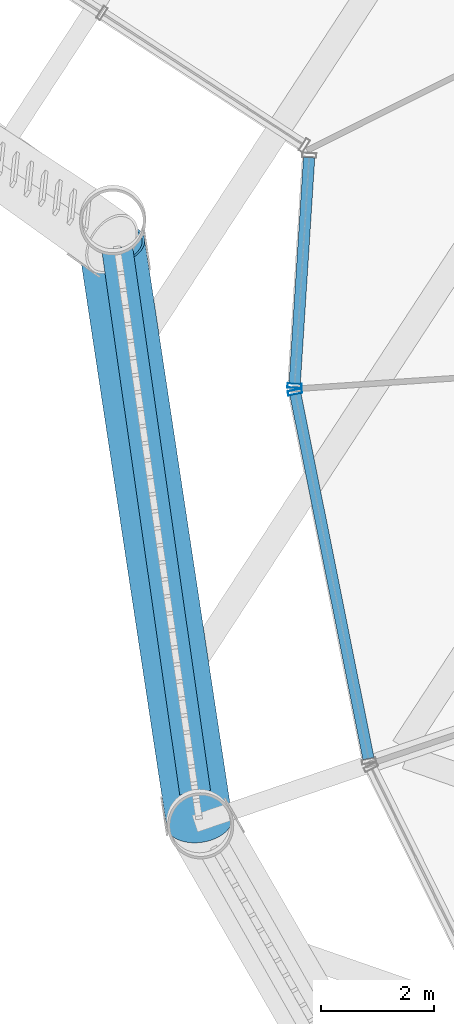
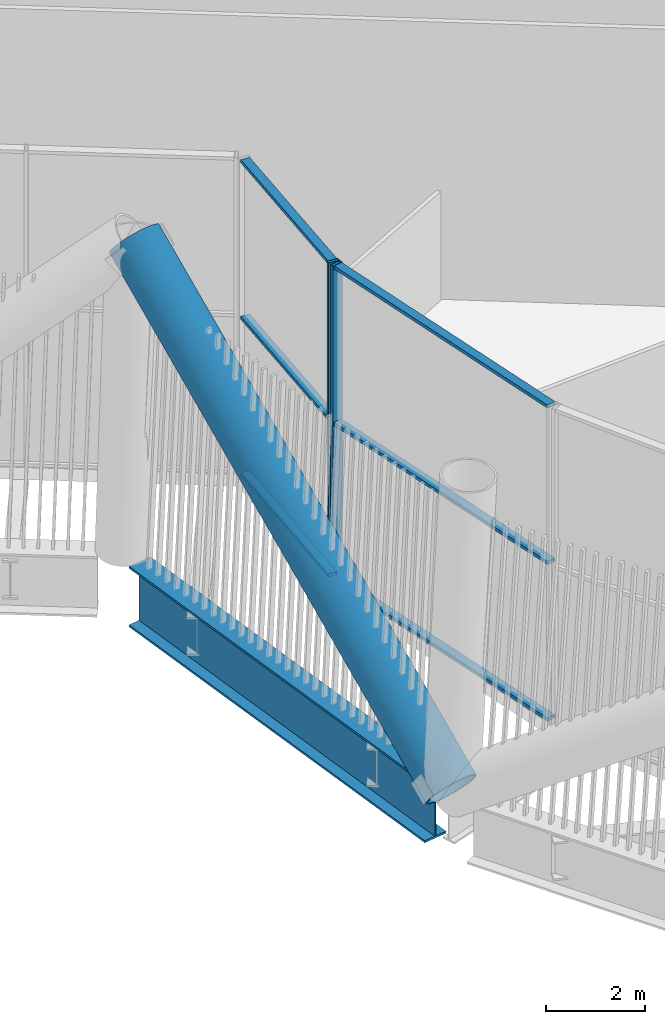
# One storey, part 13 of 63: 9 members, 1 beam, 2 elements without a shape of their own.
"""IFC4 building model written with IfcOpenShell, lengths in metres."""

from ifc_helpers import new_model, si_unit, direction, frame, origin, origin_2d, place, context, subcontext, project, spatial, hollow_rectangle, hollow_circle, i_section, extrude, material, layer, layer_set, material_profile, profile_set, type_object, element, aggregate, save


model = new_model("IFC4")

# Units and contexts
model_context = context("Model", 3, precision=1e-05, world=origin(), true_north=direction((0.0, 1.0)))
body_context = subcontext(model_context, "Body", "Model", "MODEL_VIEW")
ifc_project = project(units=[si_unit("LENGTHUNIT", "METRE"), si_unit("AREAUNIT", "SQUARE_METRE"), si_unit("VOLUMEUNIT", "CUBIC_METRE"), si_unit("PLANEANGLEUNIT", "RADIAN"), si_unit("MASSUNIT", "GRAM", prefix="KILO")], contexts=[model_context])

# Site, building, storey
site_placement = place(None, origin())
site = spatial("IfcSite", under=ifc_project, at=site_placement, CompositionType="ELEMENT")
building_placement = place(site_placement, origin())
building = spatial("IfcBuilding", under=site, at=building_placement, Name="Tarsis Ring Headquarters", CompositionType="ELEMENT")
storey_placement = place(building_placement, frame((0.0, 0.0, 139.60009765625)))
storey = spatial("IfcBuildingStorey", under=building, at=storey_placement, Name="L32", CompositionType="ELEMENT", Elevation=139.60009765625)

# Curtain wall, member
ifc_material_1 = material(Name="Aluminium curtain wall", Category="aluminium")
ifc_layer = layer(ifc_material_1, 0.25)
ifc_layer_set = layer_set([ifc_layer], Name="Curtain wall sky lobby")
curtain_wall_type = type_object("IfcCurtainWallType", Name="Curtain wall sky lobby", PredefinedType="NOTDEFINED", material=ifc_layer_set)
curtain_wall_1_placement = place(storey_placement, origin())
curtain_wall_1 = element("IfcCurtainWall", 1, at=curtain_wall_1_placement, inside=storey, type_object=curtain_wall_type, Name="Curtain wall L32-02", PredefinedType="NOTDEFINED")
ifc_material_2 = material(Name="Aluminium mullion", Category="aluminium")
ifc_material_profile_1 = material_profile(ifc_material_2, hollow_rectangle(XDim=0.25, YDim=0.080078125, WallThickness=0.0048828125, at=origin_2d()), Name="RHS 250x80x5")
ifc_profile_set_1 = profile_set([ifc_material_profile_1], Name="Aluminium mullion")
member_type_1 = type_object("IfcMemberType", Name="Curtain wall mullion sky lobby RHS 250x80x5", PredefinedType="MULLION", material=ifc_profile_set_1)
member_1_placement = place(storey_placement, frame((-25.812255859375, -1.676513671875, 0.0), z_axis=(0.0, 0.0, 1.0), x_axis=(0.997960435556, -0.063835484378, 0.0)))
member_1 = element("IfcMember", 2, at=member_1_placement, type_object=member_type_1, Name="CW-S mullion 2", PredefinedType="MULLION", context=body_context, shape_type="SweptSolid", body=[
    extrude(hollow_rectangle(XDim=0.25, YDim=0.080078125, WallThickness=0.0048828125, at=origin_2d()), origin(), (0.0, 0.0, 1.0), 7.83984375),
])

curtain_wall_2_placement = place(storey_placement, origin())
curtain_wall_2 = element("IfcCurtainWall", 3, at=curtain_wall_2_placement, inside=storey, type_object=curtain_wall_type, Name="Curtain wall L32-03", PredefinedType="NOTDEFINED")
member_2_placement = place(storey_placement, frame((-25.8046875, -1.7880859375, 0.0), z_axis=(0.0, 0.0, 1.0), x_axis=(0.980477628068, 0.196630671205, 0.0)))
member_2 = element("IfcMember", 4, at=member_2_placement, type_object=member_type_1, Name="CW-S mullion 1", PredefinedType="MULLION", context=body_context, shape_type="SweptSolid", body=[
    extrude(hollow_rectangle(XDim=0.25, YDim=0.080078125, WallThickness=0.0048828125, at=origin_2d()), origin(), (0.0, 0.0, 1.0), 7.83984375),
])

# Member
ifc_material_3 = material(Name="Aluminium transom", Category="aluminium")
ifc_material_profile_2 = material_profile(ifc_material_3, hollow_rectangle(XDim=0.199951171875, YDim=0.080078125, WallThickness=0.0048828125, at=origin_2d()), Name="RHS 200x80x5")
ifc_profile_set_2 = profile_set([ifc_material_profile_2], Name="Aluminium transom")
member_type_2 = type_object("IfcMemberType", Name="Curtain wall transom sky lobby RHS 200x80x5", PredefinedType="USERDEFINED", material=ifc_profile_set_2)
member_3_placement = place(storey_placement, frame((-25.554443359375, 2.352783203125, 0.039794921875), z_axis=(-0.063823101762, -0.997961227544, 0.0), x_axis=(0.997961227544, -0.063823101762, 0.0)))
member_3 = element("IfcMember", 5, at=member_3_placement, type_object=member_type_2, Name="CW-S transom 1.1", ObjectType="TRANSOM", PredefinedType="USERDEFINED", context=body_context, shape_type="SweptSolid", body=[
    extrude(hollow_rectangle(XDim=0.199951171875, YDim=0.080078125, WallThickness=0.0048828125, at=origin_2d()), origin(), (0.0, 0.0, 1.0), 3.997314453125),
])

member_4_placement = place(storey_placement, frame((-25.554443359375, 2.352783203125, 3.919921875), z_axis=(-0.063823101762, -0.997961227544, 0.0), x_axis=(0.997961227544, -0.063823101762, 0.0)))
member_4 = element("IfcMember", 6, at=member_4_placement, type_object=member_type_2, Name="CW-S transom 1.2", ObjectType="TRANSOM", PredefinedType="USERDEFINED", context=body_context, shape_type="SweptSolid", body=[
    extrude(hollow_rectangle(XDim=0.199951171875, YDim=0.080078125, WallThickness=0.0048828125, at=origin_2d()), origin(), (0.0, 0.0, 1.0), 3.997314453125),
])

member_5_placement = place(storey_placement, frame((-25.554443359375, 2.352783203125, 7.7998046875), z_axis=(-0.063823101762, -0.997961227544, 0.0), x_axis=(0.997961227544, -0.063823101762, 0.0)))
member_5 = element("IfcMember", 7, at=member_5_placement, type_object=member_type_2, Name="CW-S transom 1.3", ObjectType="TRANSOM", PredefinedType="USERDEFINED", context=body_context, shape_type="SweptSolid", body=[
    extrude(hollow_rectangle(XDim=0.199951171875, YDim=0.080078125, WallThickness=0.0048828125, at=origin_2d()), origin(), (0.0, 0.0, 1.0), 3.997314453125),
])

aggregate(curtain_wall_1, [member_1, member_3, member_4, member_5])

member_6_placement = place(storey_placement, frame((-25.796875, -1.827392578125, 0.039794921875), z_axis=(0.196645608585, -0.980474632321, 0.0), x_axis=(0.980474632321, 0.196645608585, 0.0)))
member_6 = element("IfcMember", 8, at=member_6_placement, type_object=member_type_2, Name="CW-S transom 1.1", ObjectType="TRANSOM", PredefinedType="USERDEFINED", context=body_context, shape_type="SweptSolid", body=[
    extrude(hollow_rectangle(XDim=0.199951171875, YDim=0.080078125, WallThickness=0.0048828125, at=origin_2d()), origin(), (0.0, 0.0, 1.0), 6.5615234375),
])

member_7_placement = place(storey_placement, frame((-25.796875, -1.827392578125, 3.919921875), z_axis=(0.196645608585, -0.980474632321, 0.0), x_axis=(0.980474632321, 0.196645608585, 0.0)))
member_7 = element("IfcMember", 9, at=member_7_placement, type_object=member_type_2, Name="CW-S transom 1.2", ObjectType="TRANSOM", PredefinedType="USERDEFINED", context=body_context, shape_type="SweptSolid", body=[
    extrude(hollow_rectangle(XDim=0.199951171875, YDim=0.080078125, WallThickness=0.0048828125, at=origin_2d()), origin(), (0.0, 0.0, 1.0), 6.5615234375),
])

member_8_placement = place(storey_placement, frame((-25.796875, -1.827392578125, 7.7998046875), z_axis=(0.196645608585, -0.980474632321, 0.0), x_axis=(0.980474632321, 0.196645608585, 0.0)))
member_8 = element("IfcMember", 10, at=member_8_placement, type_object=member_type_2, Name="CW-S transom 1.3", ObjectType="TRANSOM", PredefinedType="USERDEFINED", context=body_context, shape_type="SweptSolid", body=[
    extrude(hollow_rectangle(XDim=0.199951171875, YDim=0.080078125, WallThickness=0.0048828125, at=origin_2d()), origin(), (0.0, 0.0, 1.0), 6.5615234375),
])

aggregate(curtain_wall_2, [member_2, member_6, member_7, member_8])

ifc_material_4 = material(Name="Structural steel S355", Category="steel")
ifc_material_profile_3 = material_profile(ifc_material_4, hollow_circle(Radius=0.584228515625, WallThickness=0.044921875, at=origin_2d()), Name="CHS 1168x45")
ifc_profile_set_3 = profile_set([ifc_material_profile_3], Name="Structural steel S355")
member_type_3 = type_object("IfcMemberType", Name="TD Belt truss diagonal CHS 1168x45", PredefinedType="BRACE", material=ifc_profile_set_3)
member_9_placement = place(storey_placement, frame((-27.4921875, -9.380615234375, 0.0), z_axis=(-0.118275154084, 0.781528270398, 0.612555752969), x_axis=(-0.988741389959, -0.149634433809, 0.0)))
element("IfcMember", 11, at=member_9_placement, inside=storey, type_object=member_type_3, Name="Belt truss diagonal TD3", PredefinedType="BRACE", context=body_context, shape_type="SweptSolid", body=[
    extrude(hollow_circle(Radius=0.584228515625, WallThickness=0.044921875, at=origin_2d()), origin(), (0.0, 0.0, 1.0), 13.06005859375),
])

# Beam
ifc_material_profile_4 = material_profile(ifc_material_4, i_section(OverallWidth=0.550048828125, OverallDepth=1.5, WebThickness=0.030029296875, FlangeThickness=0.050048828125, at=origin_2d()), Name="PG 1500x550x30x50")
ifc_profile_set_4 = profile_set([ifc_material_profile_4], Name="Structural steel S355")
beam_type = type_object("IfcBeamType", Name="XG Ring girder PG 1500x550x30x50", PredefinedType="BEAM", material=ifc_profile_set_4)
beam_placement = place(storey_placement, frame((-28.945556640625, 0.76171875, -0.75), z_axis=(0.141836278349, -0.98989013034, 0.0), x_axis=(0.98989013034, 0.141836278349, 0.0)))
element("IfcBeam", 12, at=beam_placement, inside=storey, type_object=beam_type, Name="Ring girder XG6", PredefinedType="BEAM", context=body_context, shape_type="SweptSolid", body=[
    extrude(i_section(OverallWidth=0.550048828125, OverallDepth=1.5, WebThickness=0.030029296875, FlangeThickness=0.050048828125, at=origin_2d()), origin(), (0.0, 0.0, 1.0), 9.72021484375),
])

save(model, "model.ifc")
